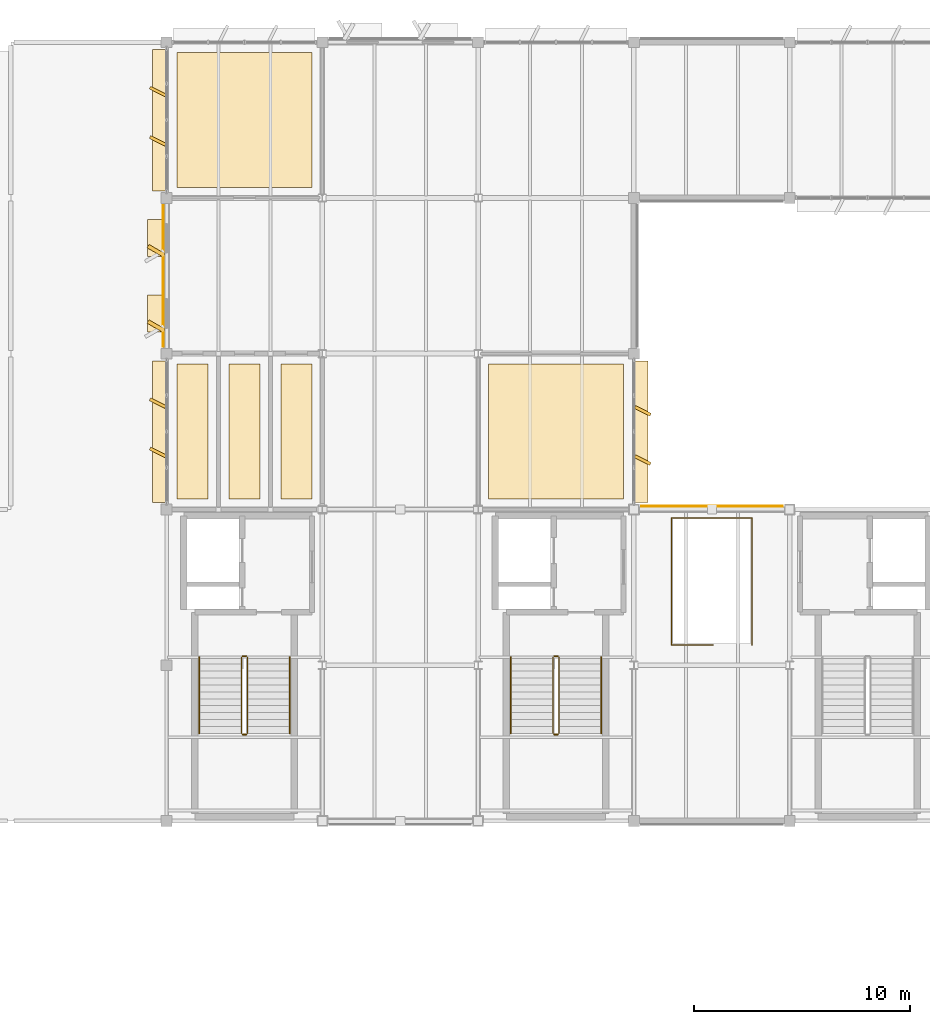
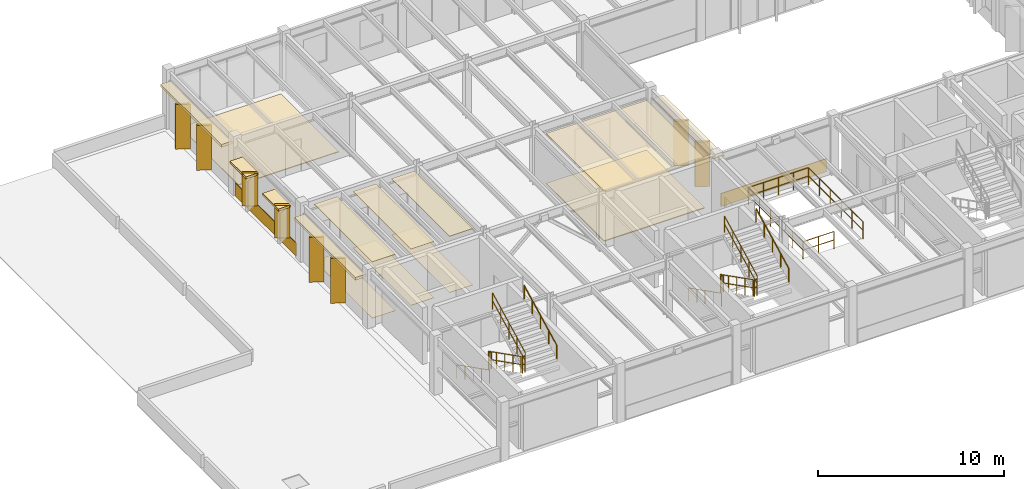
# One storey, part 20 of 23: 24 coverings, 13 railings.
"""IFC4 building model written with IfcOpenShell, lengths in metres."""

from ifc_helpers import new_model, si_unit, direction, frame, frame_2d, origin, origin_2d, place, context, subcontext, project, spatial, polyline, rectangle, circle, outline, extrude, material, layer, layer_set, type_object, element, save


model = new_model("IFC4")

# Units and contexts
model_context = context("Model", 3, precision=1e-05, world=origin(), true_north=direction((0.0, 1.0)))
body_context = subcontext(model_context, "Body", "Model", "MODEL_VIEW")
ifc_project = project(units=[si_unit("LENGTHUNIT", "METRE"), si_unit("AREAUNIT", "SQUARE_METRE"), si_unit("VOLUMEUNIT", "CUBIC_METRE"), si_unit("PLANEANGLEUNIT", "RADIAN"), si_unit("MASSUNIT", "GRAM", prefix="KILO")], contexts=[model_context])

# Site, building, storey
site_placement = place(None, origin())
site = spatial("IfcSite", under=ifc_project, at=site_placement, CompositionType="ELEMENT")
building_placement = place(site_placement, origin())
building = spatial("IfcBuilding", under=site, at=building_placement, Name="Sillqori Civic Hall", CompositionType="ELEMENT")
storey_placement = place(building_placement, frame((0.0, 0.0, 21.89990234375)))
storey = spatial("IfcBuildingStorey", under=building, at=storey_placement, Name="L06", CompositionType="ELEMENT", Elevation=21.89990234375)

# Coverings
ifc_material_1 = material(Name="Acoustic Gypsum Board Assembly 28", Category="gypsum")
ifc_layer_1 = layer(ifc_material_1, 0.028076171875)
ifc_layer_set_1 = layer_set([ifc_layer_1], Name="Acoustic Gypsum Board Assembly 28")
covering_type_1 = type_object("IfcCoveringType", Name="COV-CEIL-G28", PredefinedType="CEILING", material=ifc_layer_set_1)
covering_1_placement = place(storey_placement, frame((0.0, 0.0, 3.694091796875)))
element("IfcCovering", 1, at=covering_1_placement, inside=storey, type_object=covering_type_1, Name="L06 Public Female WC acoustic ceiling", PredefinedType="CEILING", context=body_context, shape_type="SweptSolid", body=[
    extrude(outline(polyline([(53.280029296875, 94.080078125), (54.719970703125, 94.080078125), (54.719970703125, 100.320068359375), (53.280029296875, 100.320068359375), (53.280029296875, 94.080078125)])), origin(), (0.0, 0.0, 1.0), 0.028076171875),
])
ifc_material_2 = material(Name="Acoustic Gypsum Board Assembly 34", Category="gypsum")
ifc_layer_2 = layer(ifc_material_2, 0.033935546875)
ifc_layer_set_2 = layer_set([ifc_layer_2], Name="Acoustic Gypsum Board Assembly 34")
covering_type_2 = type_object("IfcCoveringType", Name="COV-CEIL-G34", PredefinedType="CEILING", material=ifc_layer_set_2)
covering_2_placement = place(storey_placement, frame((0.0, 0.0, 3.68798828125)))
element("IfcCovering", 2, at=covering_2_placement, inside=storey, type_object=covering_type_2, Name="L06 Accessible WC acoustic ceiling", PredefinedType="CEILING", context=body_context, shape_type="SweptSolid", body=[
    extrude(outline(polyline([(55.679931640625, 94.080078125), (57.1201171875, 94.080078125), (57.1201171875, 100.320068359375), (55.679931640625, 100.320068359375), (55.679931640625, 94.080078125)])), origin(), (0.0, 0.0, 1.0), 0.0341796875),
])
ifc_material_3 = material(Name="Micro-Perforated Aluminium Plank Ceiling", Category="aluminium")
ifc_layer_3 = layer(ifc_material_3, 0.035888671875)
ifc_layer_set_3 = layer_set([ifc_layer_3], Name="Micro-Perforated Aluminium Plank Ceiling")
covering_type_3 = type_object("IfcCoveringType", Name="COV-CEIL-MET", PredefinedType="CEILING", material=ifc_layer_set_3)
covering_3_placement = place(storey_placement, frame((0.0, 0.0, 3.68603515625)))
element("IfcCovering", 3, at=covering_3_placement, inside=storey, type_object=covering_type_3, Name="L06 Public Male WC acoustic ceiling", PredefinedType="CEILING", context=body_context, shape_type="SweptSolid", body=[
    extrude(outline(polyline([(50.8798828125, 94.080078125), (52.320068359375, 94.080078125), (52.320068359375, 100.320068359375), (50.8798828125, 100.320068359375), (50.8798828125, 94.080078125)])), origin(), (0.0, 0.0, 1.0), 0.0361328125),
])
ifc_material_4 = material(Name="Andean Cedar Slatted Baffle 52", Category="timber")
ifc_layer_4 = layer(ifc_material_4, 0.052001953125)
ifc_layer_set_4 = layer_set([ifc_layer_4], Name="Andean Cedar Slatted Baffle 52")
covering_type_4 = type_object("IfcCoveringType", Name="COV-CEIL-T52", PredefinedType="CEILING", material=ifc_layer_set_4)
covering_4_placement = place(storey_placement, frame((0.0, 0.0, 3.274169921875)))
element("IfcCovering", 4, at=covering_4_placement, inside=storey, type_object=covering_type_4, Name="Municipal Cabinet Deliberation Chamber acoustic ceiling", PredefinedType="CEILING", context=body_context, shape_type="SweptSolid", body=[
    extrude(outline(polyline([(65.280029296875, 94.080078125), (71.52001953125, 94.080078125), (71.52001953125, 100.320068359375), (65.280029296875, 100.320068359375), (65.280029296875, 94.080078125)])), origin(), (0.0, 0.0, 1.0), 0.052001953125),
])
ifc_material_5 = material(Name="Cochabamba Honed Limestone Cladding", Category="masonry")
ifc_layer_5 = layer(ifc_material_5, 0.044921875)
ifc_layer_set_5 = layer_set([ifc_layer_5], Name="Cochabamba Honed Limestone Cladding")
covering_type_5 = type_object("IfcCoveringType", Name="COV-CLAD-LIME", PredefinedType="CLADDING", material=ifc_layer_set_5)
covering_5_placement = place(storey_placement, frame((50.080078125, 93.929931640625, 2.9921875), z_axis=(0.0, 0.0, 1.0), x_axis=(0.0, 1.0, 0.0)))
element("IfcCovering", 5, at=covering_5_placement, inside=storey, type_object=covering_type_5, Name="L06 curtain-wall limestone solar hood L06-07-13-W", PredefinedType="CLADDING", context=body_context, shape_type="SweptSolid", body=[
    extrude(rectangle(XDim=6.5400390625, YDim=0.679931640625, at=frame_2d((3.27001953125, 0.0))), origin(), (0.0, 0.0, 1.0), 0.179931640625),
])
for number, where, z_axis, x_axis, name in (
    (6, (50.35009765625, 96.06103515625, 0.06005859375), (0.0, 0.0, 1.0), (-0.894548452807, 0.44697098964, 0.0), "L06 curtain-wall angled stone fin L06-07-13-W.1"),
    (7, (50.35009765625, 98.339111328125, 0.06005859375), (0.0, 0.0, 1.0), (-0.894548452807, 0.44697098964, 0.0), "L06 curtain-wall angled stone fin L06-07-13-W.2"),
):
    element("IfcCovering", number, at=place(storey_placement, frame(where, z_axis=z_axis, x_axis=x_axis)), inside=storey, type_object=covering_type_5, Name=name, PredefinedType="CLADDING", context=body_context, shape_type="SweptSolid", body=[
        extrude(rectangle(XDim=0.80517578125, YDim=0.139892578125, at=frame_2d((0.402587890625, 0.0))), origin(), (0.0, 0.0, 1.0), 2.93212890625),
    ])
covering_6_placement = place(storey_placement, frame((50.239990234375, 101.1298828125, 0.0400390625), z_axis=(0.0, 0.0, 1.0), x_axis=(0.0, 1.0, 0.0)))
element("IfcCovering", 8, at=covering_6_placement, inside=storey, type_object=covering_type_5, Name="L06 limestone spandrel cladding L06-07-14-W", PredefinedType="CLADDING", context=body_context, shape_type="SweptSolid", body=[
    extrude(rectangle(XDim=6.5400390625, YDim=0.044921875, at=frame_2d((3.27001953125, 0.0))), origin(), (0.0, 0.0, 1.0), 0.860107421875),
])
covering_7_placement = place(storey_placement, frame((50.280029296875, 101.863037109375, 0.830078125), z_axis=(0.0, 0.0, 1.0), x_axis=(-0.865989465428, 0.500062241894, 0.0)))
element("IfcCovering", 9, at=covering_7_placement, inside=storey, type_object=covering_type_5, Name="Sawtooth limestone angled reveal cheek L06-07-14-W.1", PredefinedType="CLADDING", context=body_context, shape_type="SweptSolid", body=[
    extrude(rectangle(XDim=0.85009765625, YDim=0.179931640625, at=frame_2d((0.425048828125, 0.0))), origin(), (0.0, 0.0, 1.0), 2.14990234375),
])
covering_8_placement = place(storey_placement, frame((49.89990234375, 101.802978515625, 2.840087890625), z_axis=(0.0, 0.0, 1.0), x_axis=(0.0, 1.0, 0.0)))
element("IfcCovering", 10, at=covering_8_placement, inside=storey, type_object=covering_type_5, Name="Sawtooth limestone window hood L06-07-14-W.1", PredefinedType="CLADDING", context=body_context, shape_type="SweptSolid", body=[
    extrude(rectangle(XDim=1.7099609375, YDim=0.780029296875, at=frame_2d((0.85498046875, 0.0))), origin(), (0.0, 0.0, 1.0), 0.139892578125),
])
covering_9_placement = place(storey_placement, frame((50.280029296875, 105.346923828125, 0.830078125), z_axis=(0.0, 0.0, 1.0), x_axis=(-0.865989465428, 0.500062241894, 0.0)))
element("IfcCovering", 11, at=covering_9_placement, inside=storey, type_object=covering_type_5, Name="Sawtooth limestone angled reveal cheek L06-07-14-W.2", PredefinedType="CLADDING", context=body_context, shape_type="SweptSolid", body=[
    extrude(rectangle(XDim=0.85009765625, YDim=0.179931640625, at=frame_2d((0.425048828125, 0.0))), origin(), (0.0, 0.0, 1.0), 2.14990234375),
])
covering_10_placement = place(storey_placement, frame((49.89990234375, 105.287109375, 2.840087890625), z_axis=(0.0, 0.0, 1.0), x_axis=(0.0, 1.0, 0.0)))
element("IfcCovering", 12, at=covering_10_placement, inside=storey, type_object=covering_type_5, Name="Sawtooth limestone window hood L06-07-14-W.2", PredefinedType="CLADDING", context=body_context, shape_type="SweptSolid", body=[
    extrude(rectangle(XDim=1.7099609375, YDim=0.780029296875, at=frame_2d((0.85498046875, 0.0))), origin(), (0.0, 0.0, 1.0), 0.139892578125),
])
covering_11_placement = place(storey_placement, frame((50.080078125, 108.330078125, 2.9921875), z_axis=(0.0, 0.0, 1.0), x_axis=(0.0, 1.0, 0.0)))
element("IfcCovering", 13, at=covering_11_placement, inside=storey, type_object=covering_type_5, Name="L06 curtain-wall limestone solar hood L06-07-15-W", PredefinedType="CLADDING", context=body_context, shape_type="SweptSolid", body=[
    extrude(rectangle(XDim=6.5400390625, YDim=0.679931640625, at=frame_2d((3.27001953125, 0.0))), origin(), (0.0, 0.0, 1.0), 0.179931640625),
])
for number, where, z_axis, x_axis, name in (
    (14, (50.35009765625, 110.4609375, 0.06005859375), (0.0, 0.0, 1.0), (-0.894427191, 0.4472135955, 0.0), "L06 curtain-wall angled stone fin L06-07-15-W.1"),
    (15, (50.35009765625, 112.739013671875, 0.06005859375), (0.0, 0.0, 1.0), (-0.894427191, 0.4472135955, 0.0), "L06 curtain-wall angled stone fin L06-07-15-W.2"),
):
    element("IfcCovering", number, at=place(storey_placement, frame(where, z_axis=z_axis, x_axis=x_axis)), inside=storey, type_object=covering_type_5, Name=name, PredefinedType="CLADDING", context=body_context, shape_type="SweptSolid", body=[
        extrude(rectangle(XDim=0.80517578125, YDim=0.139892578125, at=frame_2d((0.402587890625, 0.0))), origin(), (0.0, 0.0, 1.0), 2.93212890625),
    ])
covering_12_placement = place(storey_placement, frame((72.320068359375, 100.469970703125, 3.01220703125), z_axis=(0.0, 0.0, 1.0), x_axis=(0.0, -1.0, 0.0)))
element("IfcCovering", 16, at=covering_12_placement, inside=storey, type_object=covering_type_5, Name="L06 curtain-wall limestone solar hood L06-09-13-E", PredefinedType="CLADDING", context=body_context, shape_type="SweptSolid", body=[
    extrude(rectangle(XDim=6.5400390625, YDim=0.679931640625, at=frame_2d((3.27001953125, 0.0))), origin(), (0.0, 0.0, 1.0), 0.179931640625),
])
for number, where, z_axis, x_axis, name in (
    (17, (72.050048828125, 98.339111328125, 0.06005859375), (0.0, 0.0, 1.0), (0.894366527193, -0.447334902547, 0.0), "L06 curtain-wall angled stone fin L06-09-13-E.1"),
    (18, (72.050048828125, 96.06103515625, 0.06005859375), (0.0, 0.0, 1.0), (0.894366527193, -0.447334902547, 0.0), "L06 curtain-wall angled stone fin L06-09-13-E.2"),
):
    element("IfcCovering", number, at=place(storey_placement, frame(where, z_axis=z_axis, x_axis=x_axis)), inside=storey, type_object=covering_type_5, Name=name, PredefinedType="CLADDING", context=body_context, shape_type="SweptSolid", body=[
        extrude(rectangle(XDim=0.804931640625, YDim=0.139892578125, at=frame_2d((0.40234375, 0.0))), origin(), (0.0, 0.0, 1.0), 2.9521484375),
    ])
covering_13_placement = place(storey_placement, frame((72.330078125, 93.760009765625, 0.0400390625), z_axis=(0.0, 0.0, 1.0), x_axis=(1.0, 0.0, 0.0)))
element("IfcCovering", 19, at=covering_13_placement, inside=storey, type_object=covering_type_5, Name="L06 limestone spandrel cladding L06-10-12-N", PredefinedType="CLADDING", context=body_context, shape_type="SweptSolid", body=[
    extrude(rectangle(XDim=6.5400390625, YDim=0.044921875, at=frame_2d((3.27001953125, 0.0))), origin(), (0.0, 0.0, 1.0), 0.860107421875),
])
ifc_material_6 = material(Name="Slip-Resistant R11 Porcelain Tile", Category="ceramic")
ifc_layer_6 = layer(ifc_material_6, 0.02001953125)
ifc_layer_set_6 = layer_set([ifc_layer_6], Name="Slip-Resistant R11 Porcelain Tile")
covering_type_6 = type_object("IfcCoveringType", Name="COV-FLR-POR", PredefinedType="FLOORING", material=ifc_layer_set_6)
covering_14_placement = place(storey_placement, origin())
element("IfcCovering", 20, at=covering_14_placement, inside=storey, type_object=covering_type_6, Name="L06 Public Male WC floor finish", PredefinedType="FLOORING", context=body_context, shape_type="SweptSolid", body=[
    extrude(outline(polyline([(50.8798828125, 94.080078125), (52.320068359375, 94.080078125), (52.320068359375, 100.320068359375), (50.8798828125, 100.320068359375), (50.8798828125, 94.080078125)])), origin(), (0.0, 0.0, 1.0), 0.02001953125),
])
covering_15_placement = place(storey_placement, origin())
element("IfcCovering", 21, at=covering_15_placement, inside=storey, type_object=covering_type_6, Name="L06 Public Female WC floor finish", PredefinedType="FLOORING", context=body_context, shape_type="SweptSolid", body=[
    extrude(outline(polyline([(53.280029296875, 94.080078125), (54.719970703125, 94.080078125), (54.719970703125, 100.320068359375), (53.280029296875, 100.320068359375), (53.280029296875, 94.080078125)])), origin(), (0.0, 0.0, 1.0), 0.02001953125),
])
covering_16_placement = place(storey_placement, origin())
element("IfcCovering", 22, at=covering_16_placement, inside=storey, type_object=covering_type_6, Name="L06 Accessible WC floor finish", PredefinedType="FLOORING", context=body_context, shape_type="SweptSolid", body=[
    extrude(outline(polyline([(55.679931640625, 94.080078125), (57.1201171875, 94.080078125), (57.1201171875, 100.320068359375), (55.679931640625, 100.320068359375), (55.679931640625, 94.080078125)])), origin(), (0.0, 0.0, 1.0), 0.02001953125),
])
ifc_material_7 = material(Name="Thick Ceremonial Limestone Flagstone 50", Category="masonry")
ifc_layer_7 = layer(ifc_material_7, 0.050048828125)
ifc_layer_set_7 = layer_set([ifc_layer_7], Name="Thick Ceremonial Limestone Flagstone 50")
covering_type_7 = type_object("IfcCoveringType", Name="COV-FLR-S50", PredefinedType="FLOORING", material=ifc_layer_set_7)
covering_17_placement = place(storey_placement, origin())
element("IfcCovering", 23, at=covering_17_placement, inside=storey, type_object=covering_type_7, Name="Mayoral Executive Office Suite floor finish", PredefinedType="FLOORING", context=body_context, shape_type="SweptSolid", body=[
    extrude(outline(polyline([(50.8798828125, 108.47998046875), (57.1201171875, 108.47998046875), (57.1201171875, 114.719970703125), (50.8798828125, 114.719970703125), (50.8798828125, 108.47998046875)])), origin(), (0.0, 0.0, 1.0), 0.050048828125),
])
ifc_material_8 = material(Name="Heavy Hall Basalt Terrazzo 56", Category="masonry")
ifc_layer_8 = layer(ifc_material_8, 0.055908203125)
ifc_layer_set_8 = layer_set([ifc_layer_8], Name="Heavy Hall Basalt Terrazzo 56")
covering_type_8 = type_object("IfcCoveringType", Name="COV-FLR-S56", PredefinedType="FLOORING", material=ifc_layer_set_8)
covering_18_placement = place(storey_placement, origin())
element("IfcCovering", 24, at=covering_18_placement, inside=storey, type_object=covering_type_8, Name="Municipal Cabinet Deliberation Chamber floor finish", PredefinedType="FLOORING", context=body_context, shape_type="SweptSolid", body=[
    extrude(outline(polyline([(65.280029296875, 94.080078125), (71.52001953125, 94.080078125), (71.52001953125, 100.320068359375), (65.280029296875, 100.320068359375), (65.280029296875, 94.080078125)])), origin(), (0.0, 0.0, 1.0), 0.05615234375),
])

# Railings
ifc_material_9 = material(Name="Architectural Bronze and Tempered Glass Balustrade", Category="glass")
ifc_layer_9 = layer(ifc_material_9, 0.080078125)
ifc_layer_set_9 = layer_set([ifc_layer_9], Name="Architectural Bronze and Tempered Glass Balustrade")
railing_type_1 = type_object("IfcRailingType", Name="RLG-BALU-115", PredefinedType="BALUSTRADE", material=ifc_layer_set_9)
railing_1_placement = place(storey_placement, frame((75.659912109375, 87.340087890625, 0.0)))
element("IfcRailing", 25, at=railing_1_placement, inside=storey, type_object=railing_type_1, Name="Mayoral Courtyard Stair L05-L06 upper atrium well balustrade", PredefinedType="BALUSTRADE", context=body_context, shape_type="SweptSolid", body=[
    extrude(circle(Radius=0.02392578125, at=origin_2d()), frame((0.0, 0.0, 1.1259765625), z_axis=(-1.0, 0.0, 0.0), x_axis=(0.0, -1.0, 0.0)), (0.0, 0.0, 1.0), 1.919921875),
    extrude(circle(Radius=0.02392578125, at=origin_2d()), frame((0.0, 0.0, 0.574951171875), z_axis=(-1.0, 0.0, 0.0), x_axis=(0.0, -1.0, 0.0)), (0.0, 0.0, 1.0), 1.919921875),
    extrude(circle(Radius=0.02392578125, at=origin_2d()), frame((-1.919921875, 0.0, 1.1259765625), z_axis=(0.0, 1.0, 0.0), x_axis=(-1.0, 0.0, 0.0)), (0.0, 0.0, 1.0), 5.869873046875),
    extrude(circle(Radius=0.02392578125, at=origin_2d()), frame((-1.919921875, 0.0, 0.574951171875), z_axis=(0.0, 1.0, 0.0), x_axis=(-1.0, 0.0, 0.0)), (0.0, 0.0, 1.0), 5.869873046875),
    extrude(circle(Radius=0.02392578125, at=origin_2d()), frame((-1.919921875, 5.869873046875, 1.1259765625), z_axis=(1.0, 0.0, 0.0), x_axis=(0.0, 1.0, 0.0)), (0.0, 0.0, 1.0), 3.719970703125),
    extrude(circle(Radius=0.02392578125, at=origin_2d()), frame((-1.919921875, 5.869873046875, 0.574951171875), z_axis=(1.0, 0.0, 0.0), x_axis=(0.0, 1.0, 0.0)), (0.0, 0.0, 1.0), 3.719970703125),
    extrude(circle(Radius=0.02392578125, at=origin_2d()), frame((1.800048828125, 5.869873046875, 1.1259765625), z_axis=(0.0, -1.0, 0.0), x_axis=(1.0, 0.0, 0.0)), (0.0, 0.0, 1.0), 5.869873046875),
    extrude(circle(Radius=0.02392578125, at=origin_2d()), frame((1.800048828125, 5.869873046875, 0.574951171875), z_axis=(0.0, -1.0, 0.0), x_axis=(1.0, 0.0, 0.0)), (0.0, 0.0, 1.0), 5.869873046875),
    extrude(circle(Radius=0.02099609375, at=origin_2d()), origin(), (0.0, 0.0, 1.0), 1.101806640625),
    extrude(circle(Radius=0.02099609375, at=origin_2d()), frame((-0.9599609375, 0.0, 0.0)), (0.0, 0.0, 1.0), 1.101806640625),
    extrude(circle(Radius=0.02099609375, at=origin_2d()), frame((-1.919921875, 0.0, 0.0)), (0.0, 0.0, 1.0), 1.101806640625),
    extrude(circle(Radius=0.02099609375, at=origin_2d()), frame((-1.919921875, 1.174072265625, 0.0)), (0.0, 0.0, 1.0), 1.101806640625),
    extrude(circle(Radius=0.02099609375, at=origin_2d()), frame((-1.919921875, 2.347900390625, 0.0)), (0.0, 0.0, 1.0), 1.101806640625),
    extrude(circle(Radius=0.02099609375, at=origin_2d()), frame((-1.919921875, 3.52197265625, 0.0)), (0.0, 0.0, 1.0), 1.101806640625),
    extrude(circle(Radius=0.02099609375, at=origin_2d()), frame((-1.919921875, 4.69580078125, 0.0)), (0.0, 0.0, 1.0), 1.101806640625),
    extrude(circle(Radius=0.02099609375, at=origin_2d()), frame((-1.919921875, 5.869873046875, 0.0)), (0.0, 0.0, 1.0), 1.101806640625),
    extrude(circle(Radius=0.02099609375, at=origin_2d()), frame((-0.989990234375, 5.869873046875, 0.0)), (0.0, 0.0, 1.0), 1.101806640625),
    extrude(circle(Radius=0.02099609375, at=origin_2d()), frame((-0.06005859375, 5.869873046875, 0.0)), (0.0, 0.0, 1.0), 1.101806640625),
    extrude(circle(Radius=0.02099609375, at=origin_2d()), frame((0.8701171875, 5.869873046875, 0.0)), (0.0, 0.0, 1.0), 1.101806640625),
    extrude(circle(Radius=0.02099609375, at=origin_2d()), frame((1.800048828125, 5.869873046875, 0.0)), (0.0, 0.0, 1.0), 1.101806640625),
    extrude(circle(Radius=0.02099609375, at=origin_2d()), frame((1.800048828125, 4.69580078125, 0.0)), (0.0, 0.0, 1.0), 1.101806640625),
    extrude(circle(Radius=0.02099609375, at=origin_2d()), frame((1.800048828125, 3.52197265625, 0.0)), (0.0, 0.0, 1.0), 1.101806640625),
    extrude(circle(Radius=0.02099609375, at=origin_2d()), frame((1.800048828125, 2.347900390625, 0.0)), (0.0, 0.0, 1.0), 1.101806640625),
    extrude(circle(Radius=0.02099609375, at=origin_2d()), frame((1.800048828125, 1.174072265625, 0.0)), (0.0, 0.0, 1.0), 1.101806640625),
    extrude(circle(Radius=0.02099609375, at=origin_2d()), frame((1.800048828125, 0.0, 0.0)), (0.0, 0.0, 1.0), 1.101806640625),
])
ifc_material_10 = material(Name="Brushed Stainless Steel 316 Handrail", Category="steel")
ifc_layer_10 = layer(ifc_material_10, 0.044921875)
ifc_layer_set_10 = layer_set([ifc_layer_10], Name="Brushed Stainless Steel 316 Handrail")
railing_type_2 = type_object("IfcRailingType", Name="RLG-CORE-092", PredefinedType="HANDRAIL", material=ifc_layer_set_10)
railing_2_placement = place(storey_placement, frame((51.909912109375, 86.77001953125, 0.16259765625)))
element("IfcRailing", 26, at=railing_2_placement, inside=storey, type_object=railing_type_2, Name="L06 ST-05 stair handrail 1", PredefinedType="HANDRAIL", context=body_context, shape_type="SweptSolid", body=[
    extrude(circle(Radius=0.02392578125, at=origin_2d()), frame((0.0, 0.0, 0.8759765625), z_axis=(0.0, -0.891614535321, 0.452795230103), x_axis=(1.0, 0.0, 0.0)), (0.0, 0.0, 1.0), 3.947998046875),
    extrude(circle(Radius=0.02099609375, at=origin_2d()), origin(), (0.0, 0.0, 1.0), 0.851806640625),
    extrude(circle(Radius=0.02099609375, at=origin_2d()), frame((0.0, -0.8798828125, 0.44677734375)), (0.0, 0.0, 1.0), 0.851806640625),
    extrude(circle(Radius=0.02099609375, at=origin_2d()), frame((0.0, -1.760009765625, 0.893798828125)), (0.0, 0.0, 1.0), 0.851806640625),
    extrude(circle(Radius=0.02099609375, at=origin_2d()), frame((0.0, -2.64013671875, 1.3408203125)), (0.0, 0.0, 1.0), 0.851806640625),
    extrude(circle(Radius=0.02099609375, at=origin_2d()), frame((0.0, -3.52001953125, 1.78759765625)), (0.0, 0.0, 1.0), 0.851806640625),
])
railing_3_placement = place(storey_placement, frame((56.090087890625, 83.25, 2.112548828125)))
element("IfcRailing", 27, at=railing_3_placement, inside=storey, type_object=railing_type_2, Name="L06 ST-05 stair handrail 2", PredefinedType="HANDRAIL", context=body_context, shape_type="SweptSolid", body=[
    extrude(circle(Radius=0.02392578125, at=origin_2d()), frame((0.0, 0.0, 0.8759765625), z_axis=(0.0, 0.891614535321, 0.452795230103), x_axis=(-1.0, 0.0, 0.0)), (0.0, 0.0, 1.0), 3.947998046875),
    extrude(circle(Radius=0.02099609375, at=origin_2d()), origin(), (0.0, 0.0, 1.0), 0.851806640625),
    extrude(circle(Radius=0.02099609375, at=origin_2d()), frame((0.0, 0.8798828125, 0.44677734375)), (0.0, 0.0, 1.0), 0.851806640625),
    extrude(circle(Radius=0.02099609375, at=origin_2d()), frame((0.0, 1.760009765625, 0.893798828125)), (0.0, 0.0, 1.0), 0.851806640625),
    extrude(circle(Radius=0.02099609375, at=origin_2d()), frame((0.0, 2.64013671875, 1.3408203125)), (0.0, 0.0, 1.0), 0.851806640625),
    extrude(circle(Radius=0.02099609375, at=origin_2d()), frame((0.0, 3.52001953125, 1.78759765625)), (0.0, 0.0, 1.0), 0.851806640625),
])
railing_4_placement = place(storey_placement, frame((66.31005859375, 86.77001953125, 0.16259765625)))
element("IfcRailing", 28, at=railing_4_placement, inside=storey, type_object=railing_type_2, Name="L06 ST-06 stair handrail 1", PredefinedType="HANDRAIL", context=body_context, shape_type="SweptSolid", body=[
    extrude(circle(Radius=0.02392578125, at=origin_2d()), frame((0.0, 0.0, 0.8759765625), z_axis=(0.0, -0.891614535321, 0.452795230103), x_axis=(1.0, 0.0, 0.0)), (0.0, 0.0, 1.0), 3.947998046875),
    extrude(circle(Radius=0.02099609375, at=origin_2d()), origin(), (0.0, 0.0, 1.0), 0.851806640625),
    extrude(circle(Radius=0.02099609375, at=origin_2d()), frame((0.0, -0.8798828125, 0.44677734375)), (0.0, 0.0, 1.0), 0.851806640625),
    extrude(circle(Radius=0.02099609375, at=origin_2d()), frame((0.0, -1.760009765625, 0.893798828125)), (0.0, 0.0, 1.0), 0.851806640625),
    extrude(circle(Radius=0.02099609375, at=origin_2d()), frame((0.0, -2.64013671875, 1.3408203125)), (0.0, 0.0, 1.0), 0.851806640625),
    extrude(circle(Radius=0.02099609375, at=origin_2d()), frame((0.0, -3.52001953125, 1.78759765625)), (0.0, 0.0, 1.0), 0.851806640625),
])
railing_5_placement = place(storey_placement, frame((70.489990234375, 83.25, 2.112548828125)))
element("IfcRailing", 29, at=railing_5_placement, inside=storey, type_object=railing_type_2, Name="L06 ST-06 stair handrail 2", PredefinedType="HANDRAIL", context=body_context, shape_type="SweptSolid", body=[
    extrude(circle(Radius=0.02392578125, at=origin_2d()), frame((0.0, 0.0, 0.8759765625), z_axis=(0.0, 0.891614535321, 0.452795230103), x_axis=(-1.0, 0.0, 0.0)), (0.0, 0.0, 1.0), 3.947998046875),
    extrude(circle(Radius=0.02099609375, at=origin_2d()), origin(), (0.0, 0.0, 1.0), 0.851806640625),
    extrude(circle(Radius=0.02099609375, at=origin_2d()), frame((0.0, 0.8798828125, 0.44677734375)), (0.0, 0.0, 1.0), 0.851806640625),
    extrude(circle(Radius=0.02099609375, at=origin_2d()), frame((0.0, 1.760009765625, 0.893798828125)), (0.0, 0.0, 1.0), 0.851806640625),
    extrude(circle(Radius=0.02099609375, at=origin_2d()), frame((0.0, 2.64013671875, 1.3408203125)), (0.0, 0.0, 1.0), 0.851806640625),
    extrude(circle(Radius=0.02099609375, at=origin_2d()), frame((0.0, 3.52001953125, 1.78759765625)), (0.0, 0.0, 1.0), 0.851806640625),
])
ifc_material_11 = material(Name="Galvanized Painted Steel Guardrail", Category="steel")
ifc_layer_11 = layer(ifc_material_11, 0.050048828125)
ifc_layer_set_11 = layer_set([ifc_layer_11], Name="Galvanized Painted Steel Guardrail")
railing_type_3 = type_object("IfcRailingType", Name="RLG-CORE-110", PredefinedType="GUARDRAIL", material=ifc_layer_set_11)
railing_6_placement = place(storey_placement, frame((53.8701171875, 86.77001953125, 0.16259765625)))
element("IfcRailing", 30, at=railing_6_placement, inside=storey, type_object=railing_type_3, Name="L06 ST-05 stair guard 1", PredefinedType="GUARDRAIL", context=body_context, shape_type="SweptSolid", body=[
    extrude(circle(Radius=0.02392578125, at=origin_2d()), frame((0.0, 0.0, 1.076171875), z_axis=(0.0, -0.891614535321, 0.452795230103), x_axis=(1.0, 0.0, 0.0)), (0.0, 0.0, 1.0), 3.947998046875),
    extrude(circle(Radius=0.02392578125, at=origin_2d()), frame((0.0, 0.0, 0.550048828125), z_axis=(0.0, -0.891614535321, 0.452795230103), x_axis=(1.0, 0.0, 0.0)), (0.0, 0.0, 1.0), 3.947998046875),
    extrude(circle(Radius=0.02099609375, at=origin_2d()), origin(), (0.0, 0.0, 1.0), 1.052001953125),
    extrude(circle(Radius=0.02099609375, at=origin_2d()), frame((0.0, -0.8798828125, 0.44677734375)), (0.0, 0.0, 1.0), 1.052001953125),
    extrude(circle(Radius=0.02099609375, at=origin_2d()), frame((0.0, -1.760009765625, 0.893798828125)), (0.0, 0.0, 1.0), 1.052001953125),
    extrude(circle(Radius=0.02099609375, at=origin_2d()), frame((0.0, -2.64013671875, 1.3408203125)), (0.0, 0.0, 1.0), 1.052001953125),
    extrude(circle(Radius=0.02099609375, at=origin_2d()), frame((0.0, -3.52001953125, 1.78759765625)), (0.0, 0.0, 1.0), 1.052001953125),
])
railing_7_placement = place(storey_placement, frame((53.919921875, 83.199951171875, 1.9501953125)))
element("IfcRailing", 31, at=railing_7_placement, inside=storey, type_object=railing_type_3, Name="L06 ST-05 stair guard 2", PredefinedType="GUARDRAIL", context=body_context, shape_type="SweptSolid", body=[
    extrude(circle(Radius=0.02392578125, at=origin_2d()), frame((0.0, 0.0, 1.076171875), z_axis=(1.0, 0.0, 0.0), x_axis=(0.0, 1.0, 0.0)), (0.0, 0.0, 1.0), 0.16015625),
    extrude(circle(Radius=0.02392578125, at=origin_2d()), frame((0.0, 0.0, 0.550048828125), z_axis=(1.0, 0.0, 0.0), x_axis=(0.0, 1.0, 0.0)), (0.0, 0.0, 1.0), 0.16015625),
    extrude(circle(Radius=0.02099609375, at=origin_2d()), origin(), (0.0, 0.0, 1.0), 1.052001953125),
    extrude(circle(Radius=0.02099609375, at=origin_2d()), frame((0.16015625, 0.0, 0.0)), (0.0, 0.0, 1.0), 1.052001953125),
])
railing_8_placement = place(storey_placement, frame((54.1298828125, 83.25, 2.112548828125)))
element("IfcRailing", 32, at=railing_8_placement, inside=storey, type_object=railing_type_3, Name="L06 ST-05 stair guard 3", PredefinedType="GUARDRAIL", context=body_context, shape_type="SweptSolid", body=[
    extrude(circle(Radius=0.02392578125, at=origin_2d()), frame((0.0, 0.0, 1.076171875), z_axis=(0.0, 0.891614535321, 0.452795230103), x_axis=(-1.0, 0.0, 0.0)), (0.0, 0.0, 1.0), 3.947998046875),
    extrude(circle(Radius=0.02392578125, at=origin_2d()), frame((0.0, 0.0, 0.550048828125), z_axis=(0.0, 0.891614535321, 0.452795230103), x_axis=(-1.0, 0.0, 0.0)), (0.0, 0.0, 1.0), 3.947998046875),
    extrude(circle(Radius=0.02099609375, at=origin_2d()), origin(), (0.0, 0.0, 1.0), 1.052001953125),
    extrude(circle(Radius=0.02099609375, at=origin_2d()), frame((0.0, 0.8798828125, 0.44677734375)), (0.0, 0.0, 1.0), 1.052001953125),
    extrude(circle(Radius=0.02099609375, at=origin_2d()), frame((0.0, 1.760009765625, 0.893798828125)), (0.0, 0.0, 1.0), 1.052001953125),
    extrude(circle(Radius=0.02099609375, at=origin_2d()), frame((0.0, 2.64013671875, 1.3408203125)), (0.0, 0.0, 1.0), 1.052001953125),
    extrude(circle(Radius=0.02099609375, at=origin_2d()), frame((0.0, 3.52001953125, 1.78759765625)), (0.0, 0.0, 1.0), 1.052001953125),
])
railing_9_placement = place(storey_placement, frame((53.919921875, 86.820068359375, 0.0)))
element("IfcRailing", 33, at=railing_9_placement, inside=storey, type_object=railing_type_3, Name="L06 ST-05 stair guard 4", PredefinedType="GUARDRAIL", context=body_context, shape_type="SweptSolid", body=[
    extrude(circle(Radius=0.02392578125, at=origin_2d()), frame((0.0, 0.0, 1.076171875), z_axis=(1.0, 0.0, 0.0), x_axis=(0.0, 1.0, 0.0)), (0.0, 0.0, 1.0), 0.16015625),
    extrude(circle(Radius=0.02392578125, at=origin_2d()), frame((0.0, 0.0, 0.550048828125), z_axis=(1.0, 0.0, 0.0), x_axis=(0.0, 1.0, 0.0)), (0.0, 0.0, 1.0), 0.16015625),
    extrude(circle(Radius=0.02099609375, at=origin_2d()), origin(), (0.0, 0.0, 1.0), 1.052001953125),
    extrude(circle(Radius=0.02099609375, at=origin_2d()), frame((0.16015625, 0.0, 0.0)), (0.0, 0.0, 1.0), 1.052001953125),
])
railing_10_placement = place(storey_placement, frame((68.27001953125, 86.77001953125, 0.16259765625)))
element("IfcRailing", 34, at=railing_10_placement, inside=storey, type_object=railing_type_3, Name="L06 ST-06 stair guard 1", PredefinedType="GUARDRAIL", context=body_context, shape_type="SweptSolid", body=[
    extrude(circle(Radius=0.02392578125, at=origin_2d()), frame((0.0, 0.0, 1.076171875), z_axis=(0.0, -0.891614535321, 0.452795230103), x_axis=(1.0, 0.0, 0.0)), (0.0, 0.0, 1.0), 3.947998046875),
    extrude(circle(Radius=0.02392578125, at=origin_2d()), frame((0.0, 0.0, 0.550048828125), z_axis=(0.0, -0.891614535321, 0.452795230103), x_axis=(1.0, 0.0, 0.0)), (0.0, 0.0, 1.0), 3.947998046875),
    extrude(circle(Radius=0.02099609375, at=origin_2d()), origin(), (0.0, 0.0, 1.0), 1.052001953125),
    extrude(circle(Radius=0.02099609375, at=origin_2d()), frame((0.0, -0.8798828125, 0.44677734375)), (0.0, 0.0, 1.0), 1.052001953125),
    extrude(circle(Radius=0.02099609375, at=origin_2d()), frame((0.0, -1.760009765625, 0.893798828125)), (0.0, 0.0, 1.0), 1.052001953125),
    extrude(circle(Radius=0.02099609375, at=origin_2d()), frame((0.0, -2.64013671875, 1.3408203125)), (0.0, 0.0, 1.0), 1.052001953125),
    extrude(circle(Radius=0.02099609375, at=origin_2d()), frame((0.0, -3.52001953125, 1.78759765625)), (0.0, 0.0, 1.0), 1.052001953125),
])
railing_11_placement = place(storey_placement, frame((68.320068359375, 83.199951171875, 1.9501953125)))
element("IfcRailing", 35, at=railing_11_placement, inside=storey, type_object=railing_type_3, Name="L06 ST-06 stair guard 2", PredefinedType="GUARDRAIL", context=body_context, shape_type="SweptSolid", body=[
    extrude(circle(Radius=0.02392578125, at=origin_2d()), frame((0.0, 0.0, 1.076171875), z_axis=(1.0, 0.0, 0.0), x_axis=(0.0, 1.0, 0.0)), (0.0, 0.0, 1.0), 0.159912109375),
    extrude(circle(Radius=0.02392578125, at=origin_2d()), frame((0.0, 0.0, 0.550048828125), z_axis=(1.0, 0.0, 0.0), x_axis=(0.0, 1.0, 0.0)), (0.0, 0.0, 1.0), 0.159912109375),
    extrude(circle(Radius=0.02099609375, at=origin_2d()), origin(), (0.0, 0.0, 1.0), 1.052001953125),
    extrude(circle(Radius=0.02099609375, at=origin_2d()), frame((0.159912109375, 0.0, 0.0)), (0.0, 0.0, 1.0), 1.052001953125),
])
railing_12_placement = place(storey_placement, frame((68.530029296875, 83.25, 2.112548828125)))
element("IfcRailing", 36, at=railing_12_placement, inside=storey, type_object=railing_type_3, Name="L06 ST-06 stair guard 3", PredefinedType="GUARDRAIL", context=body_context, shape_type="SweptSolid", body=[
    extrude(circle(Radius=0.02392578125, at=origin_2d()), frame((0.0, 0.0, 1.076171875), z_axis=(0.0, 0.891614535321, 0.452795230103), x_axis=(-1.0, 0.0, 0.0)), (0.0, 0.0, 1.0), 3.947998046875),
    extrude(circle(Radius=0.02392578125, at=origin_2d()), frame((0.0, 0.0, 0.550048828125), z_axis=(0.0, 0.891614535321, 0.452795230103), x_axis=(-1.0, 0.0, 0.0)), (0.0, 0.0, 1.0), 3.947998046875),
    extrude(circle(Radius=0.02099609375, at=origin_2d()), origin(), (0.0, 0.0, 1.0), 1.052001953125),
    extrude(circle(Radius=0.02099609375, at=origin_2d()), frame((0.0, 0.8798828125, 0.44677734375)), (0.0, 0.0, 1.0), 1.052001953125),
    extrude(circle(Radius=0.02099609375, at=origin_2d()), frame((0.0, 1.760009765625, 0.893798828125)), (0.0, 0.0, 1.0), 1.052001953125),
    extrude(circle(Radius=0.02099609375, at=origin_2d()), frame((0.0, 2.64013671875, 1.3408203125)), (0.0, 0.0, 1.0), 1.052001953125),
    extrude(circle(Radius=0.02099609375, at=origin_2d()), frame((0.0, 3.52001953125, 1.78759765625)), (0.0, 0.0, 1.0), 1.052001953125),
])
railing_13_placement = place(storey_placement, frame((68.320068359375, 86.820068359375, 0.0)))
element("IfcRailing", 37, at=railing_13_placement, inside=storey, type_object=railing_type_3, Name="L06 ST-06 stair guard 4", PredefinedType="GUARDRAIL", context=body_context, shape_type="SweptSolid", body=[
    extrude(circle(Radius=0.02392578125, at=origin_2d()), frame((0.0, 0.0, 1.076171875), z_axis=(1.0, 0.0, 0.0), x_axis=(0.0, 1.0, 0.0)), (0.0, 0.0, 1.0), 0.159912109375),
    extrude(circle(Radius=0.02392578125, at=origin_2d()), frame((0.0, 0.0, 0.550048828125), z_axis=(1.0, 0.0, 0.0), x_axis=(0.0, 1.0, 0.0)), (0.0, 0.0, 1.0), 0.159912109375),
    extrude(circle(Radius=0.02099609375, at=origin_2d()), origin(), (0.0, 0.0, 1.0), 1.052001953125),
    extrude(circle(Radius=0.02099609375, at=origin_2d()), frame((0.159912109375, 0.0, 0.0)), (0.0, 0.0, 1.0), 1.052001953125),
])

save(model, "model.ifc")
